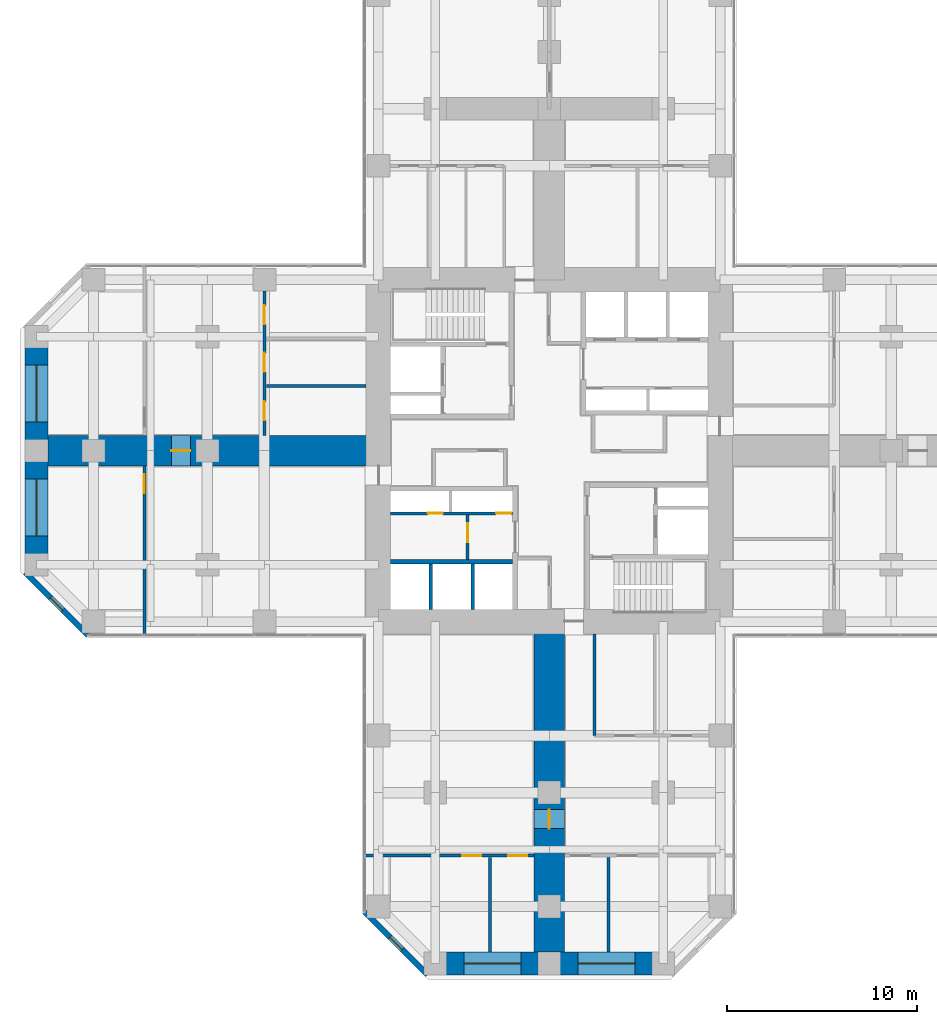
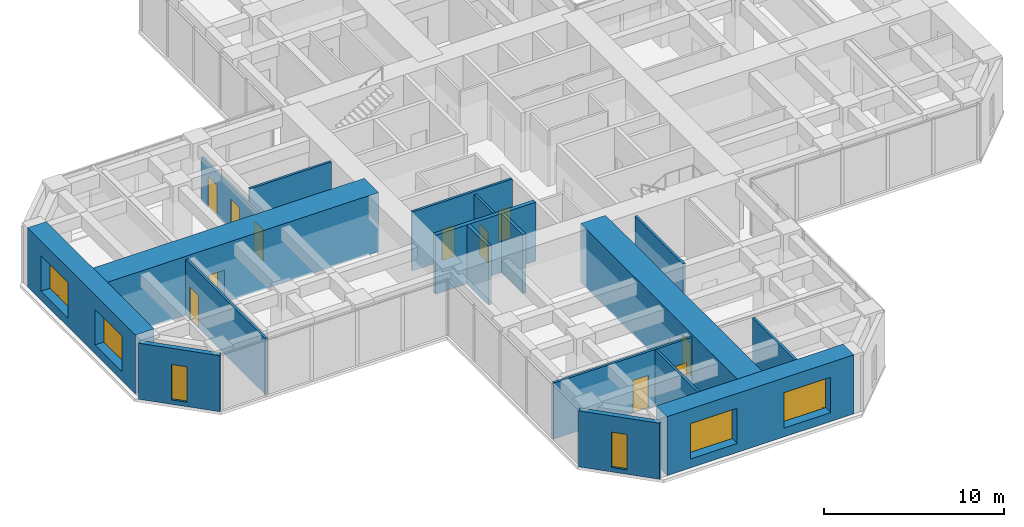
# One storey, part 8 of 13: 18 walls, 11 doors, 6 windows, 17 openings.
"""IFC4 building model written with IfcOpenShell, lengths in metres."""

from ifc_helpers import new_model, si_unit, direction, frame, frame_2d, origin, place, context, subcontext, project, spatial, rectangle, hollow_rectangle, extrude, material, layer, layer_set, constituent, constituent_set, type_object, element, fill, save


model = new_model("IFC4")

# Units and contexts
model_context = context("Model", 3, precision=1e-05, world=origin(), true_north=direction((0.0, 1.0)))
body_context = subcontext(model_context, "Body", "Model", "MODEL_VIEW")
ifc_project = project(units=[si_unit("LENGTHUNIT", "METRE"), si_unit("AREAUNIT", "SQUARE_METRE"), si_unit("VOLUMEUNIT", "CUBIC_METRE"), si_unit("PLANEANGLEUNIT", "RADIAN"), si_unit("MASSUNIT", "GRAM", prefix="KILO")], contexts=[model_context])

# Site, building, storey
site_placement = place(None, origin())
site = spatial("IfcSite", under=ifc_project, at=site_placement, CompositionType="ELEMENT")
building_placement = place(site_placement, origin())
building = spatial("IfcBuilding", under=site, at=building_placement, Name="Torre Cruceta", CompositionType="ELEMENT")
storey_placement = place(building_placement, frame((0.0, 0.0, 31.5)))
storey = spatial("IfcBuildingStorey", under=building, at=storey_placement, Name="L07", CompositionType="ELEMENT", Elevation=31.5)

# Wall
ifc_material_1 = material(Name="Concrete G60 (fck 60 MPa)", Category="concrete")
ifc_layer_1 = layer(ifc_material_1, 0.25)
ifc_layer_set_1 = layer_set([ifc_layer_1], Name="Concrete G60 (fck 60 MPa)")
wall_type_1 = type_object("IfcWallType", Name="CORE INNER WALL 250 G60", PredefinedType="SHEAR", material=ifc_layer_set_1)
wall_1_placement = place(storey_placement, frame((-1.925048828125, -5.85009765625, 0.0), z_axis=(0.0, 0.0, 1.0), x_axis=(-1.0, 0.0, 0.0)))
element("IfcWall", 1, at=wall_1_placement, inside=storey, type_object=wall_type_1, Name="CW4 L07 SW-LV", PredefinedType="SHEAR", context=body_context, shape_type="SweptSolid", body=[
    extrude(rectangle(XDim=6.425048828125, YDim=0.25, at=frame_2d((3.21240234375, 0.0))), origin(), (0.0, 0.0, 1.0), 4.0),
])

# Wall, opening, window
ifc_material_2 = material(Name="Concrete G30 (fck 30 MPa)", Category="concrete")
ifc_layer_2 = layer(ifc_material_2, 0.300048828125)
ifc_layer_set_2 = layer_set([ifc_layer_2], Name="Concrete G30 (fck 30 MPa)")
wall_type_2 = type_object("IfcWallType", Name="EXPOSED CONCRETE FACADE WALL 300", PredefinedType="SOLIDWALL", material=ifc_layer_set_2)
wall_2_placement = place(storey_placement, frame((-27.60009765625, -6.418212890625, 0.0), z_axis=(0.0, 0.0, 1.0), x_axis=(0.707106781187, -0.707106781187, 0.0)))
wall_2 = element("IfcWall", 2, at=wall_2_placement, inside=storey, type_object=wall_type_2, Name="EW1 facade wall L07 W chamfer 13", PredefinedType="SOLIDWALL", context=body_context, shape_type="SweptSolid", body=[
    extrude(rectangle(XDim=4.66943359375, YDim=0.300048828125, at=frame_2d((2.334716796875, 0.0))), origin(), (0.0, 0.0, 1.0), 3.800048828125),
])
opening_1_placement = place(wall_2_placement, frame((1.884765625, 0.0, 0.300048828125)))
opening_1 = element("IfcOpeningElement", 3, at=opening_1_placement, cuts=wall_2, Name="Opening WN5", PredefinedType="OPENING", context=body_context, shape_type="SweptSolid", body=[
    extrude(rectangle(XDim=0.89990234375, YDim=2.39990234375, at=frame_2d((0.449951171875, 1.199951171875))), frame((0.0, 0.159912109375, 0.0), z_axis=(0.0, -1.0, 0.0), x_axis=(1.0, 0.0, 0.0)), (0.0, 0.0, 1.0), 0.320068359375),
])
ifc_material_3 = material(Name="Aluminium window frame", Category="aluminium")
ifc_constituent_1 = constituent(ifc_material_3, Name="Frame")
ifc_material_4 = material(Name="Laminated insulating glass unit, low-iron clear", Category="glass")
ifc_constituent_2 = constituent(ifc_material_4, Name="Glazing")
ifc_constituent_set_1 = constituent_set(constituents=[ifc_constituent_1, ifc_constituent_2], Name="Aluminium window")
window_type_1 = type_object("IfcWindowType", Name="CHAMFER SLOT WINDOW 900X2400", PartitioningType="SINGLE_PANEL", PredefinedType="WINDOW", material=ifc_constituent_set_1)
window_1_placement = place(opening_1_placement, origin())
window_1 = element("IfcWindow", 4, at=window_1_placement, inside=storey, type_object=window_type_1, Name="WN5 L07 W 1", OverallHeight=2.39990234375, OverallWidth=0.89990234375, PartitioningType="SINGLE_PANEL", PredefinedType="WINDOW", context=body_context, shape_type="SweptSolid", body=[
    extrude(hollow_rectangle(XDim=0.89990234375, YDim=2.39990234375, WallThickness=0.06005859375, at=frame_2d((0.449951171875, 1.199951171875))), frame((0.0, 0.030029296875, 0.0), z_axis=(0.0, -1.0, 0.0), x_axis=(1.0, 0.0, 0.0)), (0.0, 0.0, 1.0), 0.06005859375),
    extrude(rectangle(XDim=0.77880859375, YDim=2.27880859375, at=frame_2d((0.449951171875, 1.199951171875))), frame((0.0, 0.030029296875, 0.0), z_axis=(0.0, -1.0, 0.0), x_axis=(1.0, 0.0, 0.0)), (0.0, 0.0, 1.0), 0.06005859375),
])
fill(opening_1, window_1)

wall_3_placement = place(storey_placement, frame((-9.719970703125, -24.29833984375, 0.0), z_axis=(0.0, 0.0, 1.0), x_axis=(0.707106781187, -0.707106781187, 0.0)))
wall_3 = element("IfcWall", 5, at=wall_3_placement, inside=storey, type_object=wall_type_2, Name="EW1 facade wall L07 S chamfer 16", PredefinedType="SOLIDWALL", context=body_context, shape_type="SweptSolid", body=[
    extrude(rectangle(XDim=4.66943359375, YDim=0.300048828125, at=frame_2d((2.334716796875, 0.0))), origin(), (0.0, 0.0, 1.0), 3.800048828125),
])
opening_2_placement = place(wall_3_placement, frame((1.884765625, 0.0, 0.300048828125)))
opening_2 = element("IfcOpeningElement", 6, at=opening_2_placement, cuts=wall_3, Name="Opening WN5", PredefinedType="OPENING", context=body_context, shape_type="SweptSolid", body=[
    extrude(rectangle(XDim=0.89990234375, YDim=2.39990234375, at=frame_2d((0.449951171875, 1.199951171875))), frame((0.0, 0.159912109375, 0.0), z_axis=(0.0, -1.0, 0.0), x_axis=(1.0, 0.0, 0.0)), (0.0, 0.0, 1.0), 0.320068359375),
])
window_2_placement = place(opening_2_placement, origin())
window_2 = element("IfcWindow", 7, at=window_2_placement, inside=storey, type_object=window_type_1, Name="WN5 L07 S 1", OverallHeight=2.39990234375, OverallWidth=0.89990234375, PartitioningType="SINGLE_PANEL", PredefinedType="WINDOW", context=body_context, shape_type="SweptSolid", body=[
    extrude(hollow_rectangle(XDim=0.89990234375, YDim=2.39990234375, WallThickness=0.06005859375, at=frame_2d((0.449951171875, 1.199951171875))), frame((0.0, 0.030029296875, 0.0), z_axis=(0.0, -1.0, 0.0), x_axis=(1.0, 0.0, 0.0)), (0.0, 0.0, 1.0), 0.06005859375),
    extrude(rectangle(XDim=0.77880859375, YDim=2.27880859375, at=frame_2d((0.449951171875, 1.199951171875))), frame((0.0, 0.030029296875, 0.0), z_axis=(0.0, -1.0, 0.0), x_axis=(1.0, 0.0, 0.0)), (0.0, 0.0, 1.0), 0.06005859375),
])
fill(opening_2, window_2)

# Walls
ifc_material_5 = material(Name="Concrete G35 (fck 35 MPa)", Category="concrete")
ifc_layer_3 = layer(ifc_material_5, 0.199951171875)
ifc_layer_set_3 = layer_set([ifc_layer_3], Name="Concrete G35 (fck 35 MPa)")
wall_type_3 = type_object("IfcWallType", Name="LIFT SHAFT WALL 200", PredefinedType="PARTITIONING", material=ifc_layer_set_3)
for number, where, z_axis, x_axis, name in (
    (8, (-4.033447265625, -5.97509765625, 0.0), (0.0, 0.0, 1.0), (0.0, -1.0, 0.0), "SW1 L07 SW-LS1"),
    (9, (-6.24169921875, -5.97509765625, 0.0), (0.0, 0.0, 1.0), (0.0, -1.0, 0.0), "SW1 L07 SW-LS2"),
):
    element("IfcWall", number, at=place(storey_placement, frame(where, z_axis=z_axis, x_axis=x_axis)), inside=storey, type_object=wall_type_3, Name=name, PredefinedType="PARTITIONING", context=body_context, shape_type="SweptSolid", body=[
        extrude(rectangle(XDim=2.375, YDim=0.199951171875, at=frame_2d((1.1875, 0.0))), origin(), (0.0, 0.0, 1.0), 4.0),
    ])

# Wall, openings, windows
ifc_material_6 = material(Name="Concrete G60 (fck 60 MPa)", Category="concrete")
ifc_layer_4 = layer(ifc_material_6, 1.199951171875)
ifc_layer_set_4 = layer_set([ifc_layer_4], Name="Concrete G60 (fck 60 MPa)")
wall_type_4 = type_object("IfcWallType", Name="NOSE WALL 1200 G60", PredefinedType="SHEAR", material=ifc_layer_set_4)
wall_4_placement = place(storey_placement, frame((-6.0, -27.0, 0.0), z_axis=(0.0, 0.0, 1.0), x_axis=(1.0, 0.0, 0.0)))
wall_4 = element("IfcWall", 10, at=wall_4_placement, inside=storey, type_object=wall_type_4, Name="NW1 nose wall L07 S", PredefinedType="SHEAR", context=body_context, shape_type="SweptSolid", body=[
    extrude(rectangle(XDim=12.0, YDim=1.199951171875, at=frame_2d((6.0, 0.0))), origin(), (0.0, 0.0, 1.0), 4.0),
])
opening_3_placement = place(wall_4_placement, frame((1.5, 0.0, 0.60009765625)))
opening_3 = element("IfcOpeningElement", 11, at=opening_3_placement, cuts=wall_4, Name="Opening WN6", PredefinedType="OPENING", context=body_context, shape_type="SweptSolid", body=[
    extrude(rectangle(XDim=3.0, YDim=2.39990234375, at=frame_2d((1.5, 1.199951171875))), frame((0.0, 0.60986328125, 0.0), z_axis=(0.0, -1.0, 0.0), x_axis=(1.0, 0.0, 0.0)), (0.0, 0.0, 1.0), 1.219970703125),
])
opening_4_placement = place(wall_4_placement, frame((7.5, 0.0, 0.60009765625)))
opening_4 = element("IfcOpeningElement", 12, at=opening_4_placement, cuts=wall_4, Name="Opening WN6", PredefinedType="OPENING", context=body_context, shape_type="SweptSolid", body=[
    extrude(rectangle(XDim=3.0, YDim=2.39990234375, at=frame_2d((1.5, 1.199951171875))), frame((0.0, 0.60986328125, 0.0), z_axis=(0.0, -1.0, 0.0), x_axis=(1.0, 0.0, 0.0)), (0.0, 0.0, 1.0), 1.219970703125),
])
ifc_material_7 = material(Name="Aluminium window frame", Category="aluminium")
ifc_constituent_3 = constituent(ifc_material_7, Name="Frame")
ifc_material_8 = material(Name="Laminated insulating glass unit, low-iron clear", Category="glass")
ifc_constituent_4 = constituent(ifc_material_8, Name="Glazing")
ifc_constituent_set_2 = constituent_set(constituents=[ifc_constituent_3, ifc_constituent_4], Name="Aluminium window")
window_type_2 = type_object("IfcWindowType", Name="NOSE WALL WINDOW 3000X2400", PartitioningType="SINGLE_PANEL", PredefinedType="WINDOW", material=ifc_constituent_set_2)
window_3_placement = place(opening_3_placement, origin())
window_3 = element("IfcWindow", 13, at=window_3_placement, inside=storey, type_object=window_type_2, Name="WN6 L07 S 1", OverallHeight=2.39990234375, OverallWidth=3.0, PartitioningType="SINGLE_PANEL", PredefinedType="WINDOW", context=body_context, shape_type="SweptSolid", body=[
    extrude(hollow_rectangle(XDim=3.0, YDim=2.39990234375, WallThickness=0.06005859375, at=frame_2d((1.5, 1.199951171875))), frame((0.0, 0.030029296875, 0.0), z_axis=(0.0, -1.0, 0.0), x_axis=(1.0, 0.0, 0.0)), (0.0, 0.0, 1.0), 0.06005859375),
    extrude(rectangle(XDim=2.87890625, YDim=2.27880859375, at=frame_2d((1.5, 1.199951171875))), frame((0.0, 0.030029296875, 0.0), z_axis=(0.0, -1.0, 0.0), x_axis=(1.0, 0.0, 0.0)), (0.0, 0.0, 1.0), 0.06005859375),
])
fill(opening_3, window_3)
window_4_placement = place(opening_4_placement, origin())
window_4 = element("IfcWindow", 14, at=window_4_placement, inside=storey, type_object=window_type_2, Name="WN6 L07 S 2", OverallHeight=2.39990234375, OverallWidth=3.0, PartitioningType="SINGLE_PANEL", PredefinedType="WINDOW", context=body_context, shape_type="SweptSolid", body=[
    extrude(hollow_rectangle(XDim=3.0, YDim=2.39990234375, WallThickness=0.06005859375, at=frame_2d((1.5, 1.199951171875))), frame((0.0, 0.030029296875, 0.0), z_axis=(0.0, -1.0, 0.0), x_axis=(1.0, 0.0, 0.0)), (0.0, 0.0, 1.0), 0.06005859375),
    extrude(rectangle(XDim=2.87890625, YDim=2.27880859375, at=frame_2d((1.5, 1.199951171875))), frame((0.0, 0.030029296875, 0.0), z_axis=(0.0, -1.0, 0.0), x_axis=(1.0, 0.0, 0.0)), (0.0, 0.0, 1.0), 0.06005859375),
])
fill(opening_4, window_4)

wall_5_placement = place(storey_placement, frame((-27.0, 6.0, 0.0), z_axis=(0.0, 0.0, 1.0), x_axis=(0.0, -1.0, 0.0)))
wall_5 = element("IfcWall", 15, at=wall_5_placement, inside=storey, type_object=wall_type_4, Name="NW1 nose wall L07 W", PredefinedType="SHEAR", context=body_context, shape_type="SweptSolid", body=[
    extrude(rectangle(XDim=12.0, YDim=1.199951171875, at=frame_2d((6.0, 0.0))), origin(), (0.0, 0.0, 1.0), 4.0),
])
opening_5_placement = place(wall_5_placement, frame((1.5, 0.0, 0.60009765625)))
opening_5 = element("IfcOpeningElement", 16, at=opening_5_placement, cuts=wall_5, Name="Opening WN6", PredefinedType="OPENING", context=body_context, shape_type="SweptSolid", body=[
    extrude(rectangle(XDim=3.0, YDim=2.39990234375, at=frame_2d((1.5, 1.199951171875))), frame((0.0, 0.60986328125, 0.0), z_axis=(0.0, -1.0, 0.0), x_axis=(1.0, 0.0, 0.0)), (0.0, 0.0, 1.0), 1.219970703125),
])
opening_6_placement = place(wall_5_placement, frame((7.5, 0.0, 0.60009765625)))
opening_6 = element("IfcOpeningElement", 17, at=opening_6_placement, cuts=wall_5, Name="Opening WN6", PredefinedType="OPENING", context=body_context, shape_type="SweptSolid", body=[
    extrude(rectangle(XDim=3.0, YDim=2.39990234375, at=frame_2d((1.5, 1.199951171875))), frame((0.0, 0.60986328125, 0.0), z_axis=(0.0, -1.0, 0.0), x_axis=(1.0, 0.0, 0.0)), (0.0, 0.0, 1.0), 1.219970703125),
])
window_5_placement = place(opening_5_placement, origin())
window_5 = element("IfcWindow", 18, at=window_5_placement, inside=storey, type_object=window_type_2, Name="WN6 L07 W 1", OverallHeight=2.39990234375, OverallWidth=3.0, PartitioningType="SINGLE_PANEL", PredefinedType="WINDOW", context=body_context, shape_type="SweptSolid", body=[
    extrude(hollow_rectangle(XDim=3.0, YDim=2.39990234375, WallThickness=0.06005859375, at=frame_2d((1.5, 1.199951171875))), frame((0.0, 0.030029296875, 0.0), z_axis=(0.0, -1.0, 0.0), x_axis=(1.0, 0.0, 0.0)), (0.0, 0.0, 1.0), 0.06005859375),
    extrude(rectangle(XDim=2.87890625, YDim=2.27880859375, at=frame_2d((1.5, 1.199951171875))), frame((0.0, 0.030029296875, 0.0), z_axis=(0.0, -1.0, 0.0), x_axis=(1.0, 0.0, 0.0)), (0.0, 0.0, 1.0), 0.06005859375),
])
fill(opening_5, window_5)
window_6_placement = place(opening_6_placement, origin())
window_6 = element("IfcWindow", 19, at=window_6_placement, inside=storey, type_object=window_type_2, Name="WN6 L07 W 2", OverallHeight=2.39990234375, OverallWidth=3.0, PartitioningType="SINGLE_PANEL", PredefinedType="WINDOW", context=body_context, shape_type="SweptSolid", body=[
    extrude(hollow_rectangle(XDim=3.0, YDim=2.39990234375, WallThickness=0.06005859375, at=frame_2d((1.5, 1.199951171875))), frame((0.0, 0.030029296875, 0.0), z_axis=(0.0, -1.0, 0.0), x_axis=(1.0, 0.0, 0.0)), (0.0, 0.0, 1.0), 0.06005859375),
    extrude(rectangle(XDim=2.87890625, YDim=2.27880859375, at=frame_2d((1.5, 1.199951171875))), frame((0.0, 0.030029296875, 0.0), z_axis=(0.0, -1.0, 0.0), x_axis=(1.0, 0.0, 0.0)), (0.0, 0.0, 1.0), 0.06005859375),
])
fill(opening_6, window_6)

# Wall, opening, door
ifc_material_9 = material(Name="Plasterboard on steel studs", Category="steel")
ifc_layer_5 = layer(ifc_material_9, 0.14990234375)
ifc_layer_set_5 = layer_set([ifc_layer_5], Name="Plasterboard on steel studs")
wall_type_5 = type_object("IfcWallType", Name="PARTITION 150", PredefinedType="PARTITIONING", material=ifc_layer_set_5)
wall_6_placement = place(storey_placement, frame((-4.300048828125, -3.375, 0.0), z_axis=(0.0, 0.0, 1.0), x_axis=(0.0, -1.0, 0.0)))
wall_6 = element("IfcWall", 20, at=wall_6_placement, inside=storey, type_object=wall_type_5, Name="PT1 L07-CORE-SW-X", PredefinedType="PARTITIONING", context=body_context, shape_type="SweptSolid", body=[
    extrude(rectangle(XDim=2.35009765625, YDim=0.14990234375, at=frame_2d((1.175048828125, 0.0))), origin(), (0.0, 0.0, 1.0), 3.800048828125),
])
opening_7_placement = place(wall_6_placement, frame((0.449951171875, 0.0, 0.0)))
opening_7 = element("IfcOpeningElement", 21, at=opening_7_placement, cuts=wall_6, Name="Opening D3", PredefinedType="OPENING", context=body_context, shape_type="SweptSolid", body=[
    extrude(rectangle(XDim=1.0, YDim=2.10009765625, at=frame_2d((0.5, 1.050048828125))), frame((0.0, 0.0849609375, 0.0), z_axis=(0.0, -1.0, 0.0), x_axis=(1.0, 0.0, 0.0)), (0.0, 0.0, 1.0), 0.169921875),
])
ifc_material_10 = material(Name="Steel DX51D", Category="steel")
ifc_constituent_5 = constituent(ifc_material_10, Name="Leaf and frame")
ifc_material_11 = material(Name="Polyester powder coating", Category="paint")
ifc_constituent_6 = constituent(ifc_material_11, Name="Finish")
ifc_constituent_set_3 = constituent_set(constituents=[ifc_constituent_5, ifc_constituent_6], Name="Steel fire door")
door_type_1 = type_object("IfcDoorType", Name="FIRE DOOR 1000X2100", OperationType="SINGLE_SWING_LEFT", PredefinedType="DOOR", material=ifc_constituent_set_3)
door_1_placement = place(opening_7_placement, origin())
door_1 = element("IfcDoor", 22, at=door_1_placement, inside=storey, type_object=door_type_1, Name="D3 L07-CORE-SW-X-D1", OperationType="SINGLE_SWING_LEFT", OverallHeight=2.10009765625, OverallWidth=1.0, PredefinedType="DOOR", context=body_context, shape_type="SweptSolid", body=[
    extrude(rectangle(XDim=1.0, YDim=2.10009765625, at=frame_2d((0.5, 1.050048828125))), frame((0.0, 0.02490234375, 0.0), z_axis=(0.0, -1.0, 0.0), x_axis=(1.0, 0.0, 0.0)), (0.0, 0.0, 1.0), 0.050048828125),
])
fill(opening_7, door_1)

# Walls
wall_7_placement = place(storey_placement, frame((2.375, -9.64990234375, 0.0), z_axis=(0.0, 0.0, 1.0), x_axis=(0.0, -1.0, 0.0)))
element("IfcWall", 23, at=wall_7_placement, inside=storey, type_object=wall_type_5, Name="PT1 L07-S-BSL", PredefinedType="PARTITIONING", context=body_context, shape_type="SweptSolid", body=[
    extrude(rectangle(XDim=5.35009765625, YDim=0.14990234375, at=frame_2d((2.675048828125, 0.0))), origin(), (0.0, 0.0, 1.0), 3.800048828125),
])
for number, where, z_axis, x_axis, name in (
    (24, (3.117919921875, -21.419921875, 0.0), (0.0, 0.0, 1.0), (0.0, -1.0, 0.0), "PT1 L07-S-TDL"),
    (25, (-3.117919921875, -21.419921875, 0.0), (0.0, 0.0, 1.0), (0.0, -1.0, 0.0), "PT1 L07-S-TDR"),
):
    element("IfcWall", number, at=place(storey_placement, frame(where, z_axis=z_axis, x_axis=x_axis)), inside=storey, type_object=wall_type_5, Name=name, PredefinedType="PARTITIONING", context=body_context, shape_type="SweptSolid", body=[
        extrude(rectangle(XDim=4.97998046875, YDim=0.14990234375, at=frame_2d((2.489990234375, 0.0))), origin(), (0.0, 0.0, 1.0), 3.800048828125),
    ])

# Wall, openings, doors
wall_8_placement = place(storey_placement, frame((-9.679931640625, -21.320068359375, 0.0), z_axis=(0.0, 0.0, 1.0), x_axis=(1.0, 0.0, 0.0)))
wall_8 = element("IfcWall", 26, at=wall_8_placement, inside=storey, type_object=wall_type_5, Name="PT1 L07-S-TWR", PredefinedType="PARTITIONING", context=body_context, shape_type="SweptSolid", body=[
    extrude(rectangle(XDim=8.8798828125, YDim=0.14990234375, at=frame_2d((4.43994140625, 0.0))), origin(), (0.0, 0.0, 1.0), 3.800048828125),
])
opening_8_placement = place(wall_8_placement, frame((5.0869140625, 0.0, 0.0)))
opening_8 = element("IfcOpeningElement", 27, at=opening_8_placement, cuts=wall_8, Name="Opening D14", PredefinedType="OPENING", context=body_context, shape_type="SweptSolid", body=[
    extrude(rectangle(XDim=1.0, YDim=2.199951171875, at=frame_2d((0.5, 1.10009765625))), frame((0.0, 0.0849609375, 0.0), z_axis=(0.0, -1.0, 0.0), x_axis=(1.0, 0.0, 0.0)), (0.0, 0.0, 1.0), 0.169921875),
])
opening_9_placement = place(wall_8_placement, frame((7.530029296875, 0.0, 0.0)))
opening_9 = element("IfcOpeningElement", 28, at=opening_9_placement, cuts=wall_8, Name="Opening D14", PredefinedType="OPENING", context=body_context, shape_type="SweptSolid", body=[
    extrude(rectangle(XDim=1.0, YDim=2.199951171875, at=frame_2d((0.5, 1.10009765625))), frame((0.0, 0.0849609375, 0.0), z_axis=(0.0, -1.0, 0.0), x_axis=(1.0, 0.0, 0.0)), (0.0, 0.0, 1.0), 0.169921875),
])
ifc_material_12 = material(Name="Steel DX51D", Category="steel")
ifc_constituent_7 = constituent(ifc_material_12, Name="Leaf and frame")
ifc_material_13 = material(Name="Polyester powder coating", Category="paint")
ifc_constituent_8 = constituent(ifc_material_13, Name="Finish")
ifc_material_14 = material(Name="Fire-resisting glass", Category="glass")
ifc_constituent_9 = constituent(ifc_material_14, Name="Vision panel")
ifc_constituent_set_4 = constituent_set(constituents=[ifc_constituent_7, ifc_constituent_8, ifc_constituent_9], Name="Steel fire door with vision panel")
door_type_2 = type_object("IfcDoorType", Name="FIRE DOOR VISION PANEL 1000X2200", OperationType="SINGLE_SWING_RIGHT", PredefinedType="DOOR", material=ifc_constituent_set_4)
door_2_placement = place(opening_8_placement, frame((1.0, 0.0, 0.0), z_axis=(0.0, 0.0, 1.0), x_axis=(-1.0, 0.0, 0.0)))
door_2 = element("IfcDoor", 29, at=door_2_placement, inside=storey, type_object=door_type_2, Name="D14 L07-S-TWR-D1", OperationType="SINGLE_SWING_LEFT", OverallHeight=2.199951171875, OverallWidth=1.0, PredefinedType="DOOR", context=body_context, shape_type="SweptSolid", body=[
    extrude(rectangle(XDim=1.0, YDim=2.199951171875, at=frame_2d((0.5, 1.10009765625))), frame((0.0, 0.025146484375, 0.0), z_axis=(0.0, -1.0, 0.0), x_axis=(1.0, 0.0, 0.0)), (0.0, 0.0, 1.0), 0.050048828125),
])
fill(opening_8, door_2)
door_3_placement = place(opening_9_placement, frame((1.0, 0.0, 0.0), z_axis=(0.0, 0.0, 1.0), x_axis=(-1.0, 0.0, 0.0)))
door_3 = element("IfcDoor", 30, at=door_3_placement, inside=storey, type_object=door_type_2, Name="D14 L07-S-TWR-D2", OperationType="SINGLE_SWING_LEFT", OverallHeight=2.199951171875, OverallWidth=1.0, PredefinedType="DOOR", context=body_context, shape_type="SweptSolid", body=[
    extrude(rectangle(XDim=1.0, YDim=2.199951171875, at=frame_2d((0.5, 1.10009765625))), frame((0.0, 0.025146484375, 0.0), z_axis=(0.0, -1.0, 0.0), x_axis=(1.0, 0.0, 0.0)), (0.0, 0.0, 1.0), 0.050048828125),
])
fill(opening_9, door_3)

wall_9_placement = place(storey_placement, frame((-15.0, 8.39990234375, 0.0), z_axis=(0.0, 0.0, 1.0), x_axis=(0.0, -1.0, 0.0)))
wall_9 = element("IfcWall", 31, at=wall_9_placement, inside=storey, type_object=wall_type_5, Name="PT1 L07-W-BFR", PredefinedType="PARTITIONING", context=body_context, shape_type="SweptSolid", body=[
    extrude(rectangle(XDim=7.599853515625, YDim=0.14990234375, at=frame_2d((3.7998046875, 0.0))), origin(), (0.0, 0.0, 1.0), 2.949951171875),
])
opening_10_placement = place(wall_9_placement, frame((0.75, 0.0, 0.0)))
opening_10 = element("IfcOpeningElement", 32, at=opening_10_placement, cuts=wall_9, Name="Opening D3", PredefinedType="OPENING", context=body_context, shape_type="SweptSolid", body=[
    extrude(rectangle(XDim=1.0, YDim=2.10009765625, at=frame_2d((0.5, 1.050048828125))), frame((0.0, 0.0849609375, 0.0), z_axis=(0.0, -1.0, 0.0), x_axis=(1.0, 0.0, 0.0)), (0.0, 0.0, 1.0), 0.169921875),
])
opening_11_placement = place(wall_9_placement, frame((3.25, 0.0, 0.0)))
opening_11 = element("IfcOpeningElement", 33, at=opening_11_placement, cuts=wall_9, Name="Opening D3", PredefinedType="OPENING", context=body_context, shape_type="SweptSolid", body=[
    extrude(rectangle(XDim=1.0, YDim=2.10009765625, at=frame_2d((0.5, 1.050048828125))), frame((0.0, 0.0849609375, 0.0), z_axis=(0.0, -1.0, 0.0), x_axis=(1.0, 0.0, 0.0)), (0.0, 0.0, 1.0), 0.169921875),
])
opening_12_placement = place(wall_9_placement, frame((5.800048828125, 0.0, 0.0)))
opening_12 = element("IfcOpeningElement", 34, at=opening_12_placement, cuts=wall_9, Name="Opening D3", PredefinedType="OPENING", context=body_context, shape_type="SweptSolid", body=[
    extrude(rectangle(XDim=1.0, YDim=2.10009765625, at=frame_2d((0.5, 1.050048828125))), frame((0.0, 0.0849609375, 0.0), z_axis=(0.0, -1.0, 0.0), x_axis=(1.0, 0.0, 0.0)), (0.0, 0.0, 1.0), 0.169921875),
])
door_4_placement = place(opening_10_placement, origin())
door_4 = element("IfcDoor", 35, at=door_4_placement, inside=storey, type_object=door_type_1, Name="D3 L07-W-BFR-D1", OperationType="SINGLE_SWING_RIGHT", OverallHeight=2.10009765625, OverallWidth=1.0, PredefinedType="DOOR", context=body_context, shape_type="SweptSolid", body=[
    extrude(rectangle(XDim=1.0, YDim=2.10009765625, at=frame_2d((0.5, 1.050048828125))), frame((0.0, 0.02490234375, 0.0), z_axis=(0.0, -1.0, 0.0), x_axis=(1.0, 0.0, 0.0)), (0.0, 0.0, 1.0), 0.050048828125),
])
fill(opening_10, door_4)
door_5_placement = place(opening_11_placement, origin())
door_5 = element("IfcDoor", 36, at=door_5_placement, inside=storey, type_object=door_type_1, Name="D3 L07-W-BFR-D2", OperationType="SINGLE_SWING_LEFT", OverallHeight=2.10009765625, OverallWidth=1.0, PredefinedType="DOOR", context=body_context, shape_type="SweptSolid", body=[
    extrude(rectangle(XDim=1.0, YDim=2.10009765625, at=frame_2d((0.5, 1.050048828125))), frame((0.0, 0.02490234375, 0.0), z_axis=(0.0, -1.0, 0.0), x_axis=(1.0, 0.0, 0.0)), (0.0, 0.0, 1.0), 0.050048828125),
])
fill(opening_11, door_5)
door_6_placement = place(opening_12_placement, origin())
door_6 = element("IfcDoor", 37, at=door_6_placement, inside=storey, type_object=door_type_1, Name="D3 L07-W-BFR-D3", OperationType="SINGLE_SWING_LEFT", OverallHeight=2.10009765625, OverallWidth=1.0, PredefinedType="DOOR", context=body_context, shape_type="SweptSolid", body=[
    extrude(rectangle(XDim=1.0, YDim=2.10009765625, at=frame_2d((0.5, 1.050048828125))), frame((0.0, 0.02490234375, 0.0), z_axis=(0.0, -1.0, 0.0), x_axis=(1.0, 0.0, 0.0)), (0.0, 0.0, 1.0), 0.050048828125),
])
fill(opening_12, door_6)

# Wall
wall_10_placement = place(storey_placement, frame((-9.64990234375, 3.39990234375, 0.0), z_axis=(0.0, 0.0, 1.0), x_axis=(-1.0, 0.0, 0.0)))
element("IfcWall", 38, at=wall_10_placement, inside=storey, type_object=wall_type_5, Name="PT1 L07-W-BDR1", PredefinedType="PARTITIONING", context=body_context, shape_type="SweptSolid", body=[
    extrude(rectangle(XDim=5.25, YDim=0.14990234375, at=frame_2d((2.625, 0.0))), origin(), (0.0, 0.0, 1.0), 3.800048828125),
])

# Wall, opening, door
wall_11_placement = place(storey_placement, frame((-21.320068359375, -0.800048828125, 0.0), z_axis=(0.0, 0.0, 1.0), x_axis=(0.0, -1.0, 0.0)))
wall_11 = element("IfcWall", 39, at=wall_11_placement, inside=storey, type_object=wall_type_5, Name="PT1 L07-W-TWL", PredefinedType="PARTITIONING", context=body_context, shape_type="SweptSolid", body=[
    extrude(rectangle(XDim=8.8798828125, YDim=0.14990234375, at=frame_2d((4.43994140625, 0.0))), origin(), (0.0, 0.0, 1.0), 3.800048828125),
])
opening_13_placement = place(wall_11_placement, frame((0.449951171875, 0.0, 0.0)))
opening_13 = element("IfcOpeningElement", 40, at=opening_13_placement, cuts=wall_11, Name="Opening D14", PredefinedType="OPENING", context=body_context, shape_type="SweptSolid", body=[
    extrude(rectangle(XDim=1.0, YDim=2.199951171875, at=frame_2d((0.5, 1.10009765625))), frame((0.0, 0.0849609375, 0.0), z_axis=(0.0, -1.0, 0.0), x_axis=(1.0, 0.0, 0.0)), (0.0, 0.0, 1.0), 0.169921875),
])
door_7_placement = place(opening_13_placement, frame((1.0, 0.0, 0.0), z_axis=(0.0, 0.0, 1.0), x_axis=(-1.0, 0.0, 0.0)))
door_7 = element("IfcDoor", 41, at=door_7_placement, inside=storey, type_object=door_type_2, Name="D14 L07-W-TWL-D1", OperationType="SINGLE_SWING_RIGHT", OverallHeight=2.199951171875, OverallWidth=1.0, PredefinedType="DOOR", context=body_context, shape_type="SweptSolid", body=[
    extrude(rectangle(XDim=1.0, YDim=2.199951171875, at=frame_2d((0.5, 1.10009765625))), frame((0.0, 0.025146484375, 0.0), z_axis=(0.0, -1.0, 0.0), x_axis=(1.0, 0.0, 0.0)), (0.0, 0.0, 1.0), 0.050048828125),
])
fill(opening_13, door_7)

# Wall, openings, doors
ifc_material_15 = material(Name="Concrete block masonry", Category="masonry")
ifc_layer_6 = layer(ifc_material_15, 0.14990234375)
ifc_layer_set_6 = layer_set([ifc_layer_6], Name="Concrete block masonry")
wall_type_6 = type_object("IfcWallType", Name="RISER WALL 150", PredefinedType="PARTITIONING", material=ifc_layer_set_6)
wall_12_placement = place(storey_placement, frame((-1.925048828125, -3.300048828125, 0.0), z_axis=(0.0, 0.0, 1.0), x_axis=(-1.0, 0.0, 0.0)))
wall_12 = element("IfcWall", 42, at=wall_12_placement, inside=storey, type_object=wall_type_6, Name="SW7 L07 SW-RV", PredefinedType="PARTITIONING", context=body_context, shape_type="SweptSolid", body=[
    extrude(rectangle(XDim=6.425048828125, YDim=0.14990234375, at=frame_2d((3.21240234375, 0.0))), origin(), (0.0, 0.0, 1.0), 4.0),
])
opening_14_placement = place(wall_12_placement, frame((0.074951171875, 0.0, 0.0)))
opening_14 = element("IfcOpeningElement", 43, at=opening_14_placement, cuts=wall_12, Name="Opening D5", PredefinedType="OPENING", context=body_context, shape_type="SweptSolid", body=[
    extrude(rectangle(XDim=0.800048828125, YDim=2.10009765625, at=frame_2d((0.39990234375, 1.050048828125))), frame((0.0, 0.0849609375, 0.0), z_axis=(0.0, -1.0, 0.0), x_axis=(1.0, 0.0, 0.0)), (0.0, 0.0, 1.0), 0.169921875),
])
opening_15_placement = place(wall_12_placement, frame((3.675048828125, 0.0, 0.0)))
opening_15 = element("IfcOpeningElement", 44, at=opening_15_placement, cuts=wall_12, Name="Opening D5", PredefinedType="OPENING", context=body_context, shape_type="SweptSolid", body=[
    extrude(rectangle(XDim=0.800048828125, YDim=2.10009765625, at=frame_2d((0.39990234375, 1.050048828125))), frame((0.0, 0.0849609375, 0.0), z_axis=(0.0, -1.0, 0.0), x_axis=(1.0, 0.0, 0.0)), (0.0, 0.0, 1.0), 0.169921875),
])
ifc_material_16 = material(Name="Steel DX51D", Category="steel")
ifc_constituent_10 = constituent(ifc_material_16, Name="Leaf and frame")
ifc_material_17 = material(Name="Polyester powder coating", Category="paint")
ifc_constituent_11 = constituent(ifc_material_17, Name="Finish")
ifc_constituent_set_5 = constituent_set(constituents=[ifc_constituent_10, ifc_constituent_11], Name="Steel fire door")
door_type_3 = type_object("IfcDoorType", Name="RISER ACCESS DOOR 800X2100", OperationType="SINGLE_SWING_LEFT", PredefinedType="DOOR", material=ifc_constituent_set_5)
door_8_placement = place(opening_14_placement, frame((0.800048828125, 0.0, 0.0), z_axis=(0.0, 0.0, 1.0), x_axis=(-1.0, 0.0, 0.0)))
door_8 = element("IfcDoor", 45, at=door_8_placement, inside=storey, type_object=door_type_3, Name="D5 L07 SW-RISER1", OperationType="SINGLE_SWING_RIGHT", OverallHeight=2.10009765625, OverallWidth=0.800048828125, PredefinedType="DOOR", context=body_context, shape_type="SweptSolid", body=[
    extrude(rectangle(XDim=0.800048828125, YDim=2.10009765625, at=frame_2d((0.400146484375, 1.050048828125))), frame((0.0, 0.025146484375, 0.0), z_axis=(0.0, -1.0, 0.0), x_axis=(1.0, 0.0, 0.0)), (0.0, 0.0, 1.0), 0.050048828125),
])
fill(opening_14, door_8)
door_9_placement = place(opening_15_placement, frame((0.800048828125, 0.0, 0.0), z_axis=(0.0, 0.0, 1.0), x_axis=(-1.0, 0.0, 0.0)))
door_9 = element("IfcDoor", 46, at=door_9_placement, inside=storey, type_object=door_type_3, Name="D5 L07 SW-RISER2", OperationType="SINGLE_SWING_RIGHT", OverallHeight=2.10009765625, OverallWidth=0.800048828125, PredefinedType="DOOR", context=body_context, shape_type="SweptSolid", body=[
    extrude(rectangle(XDim=0.800048828125, YDim=2.10009765625, at=frame_2d((0.400146484375, 1.050048828125))), frame((0.0, 0.025146484375, 0.0), z_axis=(0.0, -1.0, 0.0), x_axis=(1.0, 0.0, 0.0)), (0.0, 0.0, 1.0), 0.050048828125),
])
fill(opening_15, door_9)

# Wall, opening, door
ifc_material_18 = material(Name="Concrete G60 (fck 60 MPa)", Category="concrete")
ifc_layer_7 = layer(ifc_material_18, 1.60009765625)
ifc_layer_set_7 = layer_set([ifc_layer_7], Name="Concrete G60 (fck 60 MPa)")
wall_type_7 = type_object("IfcWallType", Name="SPINE WALL 1600 G60", PredefinedType="SHEAR", material=ifc_layer_set_7)
wall_13_placement = place(storey_placement, frame((0.0, -9.0, 0.0), z_axis=(0.0, 0.0, 1.0), x_axis=(0.0, -1.0, 0.0)))
wall_13 = element("IfcWall", 47, at=wall_13_placement, inside=storey, type_object=wall_type_7, Name="SW2 spine wall L07 S", PredefinedType="SHEAR", context=body_context, shape_type="SweptSolid", body=[
    extrude(rectangle(XDim=18.0, YDim=1.60009765625, at=frame_2d((9.0, 0.0))), origin(), (0.0, 0.0, 1.0), 4.0),
])
opening_16_placement = place(wall_13_placement, frame((9.89990234375, 0.0, 0.0)))
opening_16 = element("IfcOpeningElement", 48, at=opening_16_placement, cuts=wall_13, Name="Opening D14", PredefinedType="OPENING", context=body_context, shape_type="SweptSolid", body=[
    extrude(rectangle(XDim=1.0, YDim=2.199951171875, at=frame_2d((0.5, 1.10009765625))), frame((0.0, 0.81005859375, 0.0), z_axis=(0.0, -1.0, 0.0), x_axis=(1.0, 0.0, 0.0)), (0.0, 0.0, 1.0), 1.6201171875),
])
door_10_placement = place(opening_16_placement, origin())
door_10 = element("IfcDoor", 49, at=door_10_placement, inside=storey, type_object=door_type_2, Name="D14 L07-S-SP1", OperationType="SINGLE_SWING_RIGHT", OverallHeight=2.199951171875, OverallWidth=1.0, PredefinedType="DOOR", context=body_context, shape_type="SweptSolid", body=[
    extrude(rectangle(XDim=1.0, YDim=2.199951171875, at=frame_2d((0.5, 1.10009765625))), frame((0.0, 0.02490234375, 0.0), z_axis=(0.0, -1.0, 0.0), x_axis=(1.0, 0.0, 0.0)), (0.0, 0.0, 1.0), 0.050048828125),
])
fill(opening_16, door_10)

wall_14_placement = place(storey_placement, frame((-9.0, 0.0, 0.0), z_axis=(0.0, 0.0, 1.0), x_axis=(-1.0, 0.0, 0.0)))
wall_14 = element("IfcWall", 50, at=wall_14_placement, inside=storey, type_object=wall_type_7, Name="SW2 spine wall L07 W", PredefinedType="SHEAR", context=body_context, shape_type="SweptSolid", body=[
    extrude(rectangle(XDim=18.0, YDim=1.60009765625, at=frame_2d((9.0, 0.0))), origin(), (0.0, 0.0, 1.0), 4.0),
])
opening_17_placement = place(wall_14_placement, frame((9.89990234375, 0.0, 0.0)))
opening_17 = element("IfcOpeningElement", 51, at=opening_17_placement, cuts=wall_14, Name="Opening D14", PredefinedType="OPENING", context=body_context, shape_type="SweptSolid", body=[
    extrude(rectangle(XDim=1.0, YDim=2.199951171875, at=frame_2d((0.5, 1.10009765625))), frame((0.0, 0.81005859375, 0.0), z_axis=(0.0, -1.0, 0.0), x_axis=(1.0, 0.0, 0.0)), (0.0, 0.0, 1.0), 1.6201171875),
])
door_11_placement = place(opening_17_placement, frame((1.0, 0.0, 0.0), z_axis=(0.0, 0.0, 1.0), x_axis=(-1.0, 0.0, 0.0)))
door_11 = element("IfcDoor", 52, at=door_11_placement, inside=storey, type_object=door_type_2, Name="D14 L07-W-SP1", OperationType="SINGLE_SWING_LEFT", OverallHeight=2.199951171875, OverallWidth=1.0, PredefinedType="DOOR", context=body_context, shape_type="SweptSolid", body=[
    extrude(rectangle(XDim=1.0, YDim=2.199951171875, at=frame_2d((0.5, 1.10009765625))), frame((0.0, 0.025146484375, 0.0), z_axis=(0.0, -1.0, 0.0), x_axis=(1.0, 0.0, 0.0)), (0.0, 0.0, 1.0), 0.050048828125),
])
fill(opening_17, door_11)

save(model, "model.ifc")
